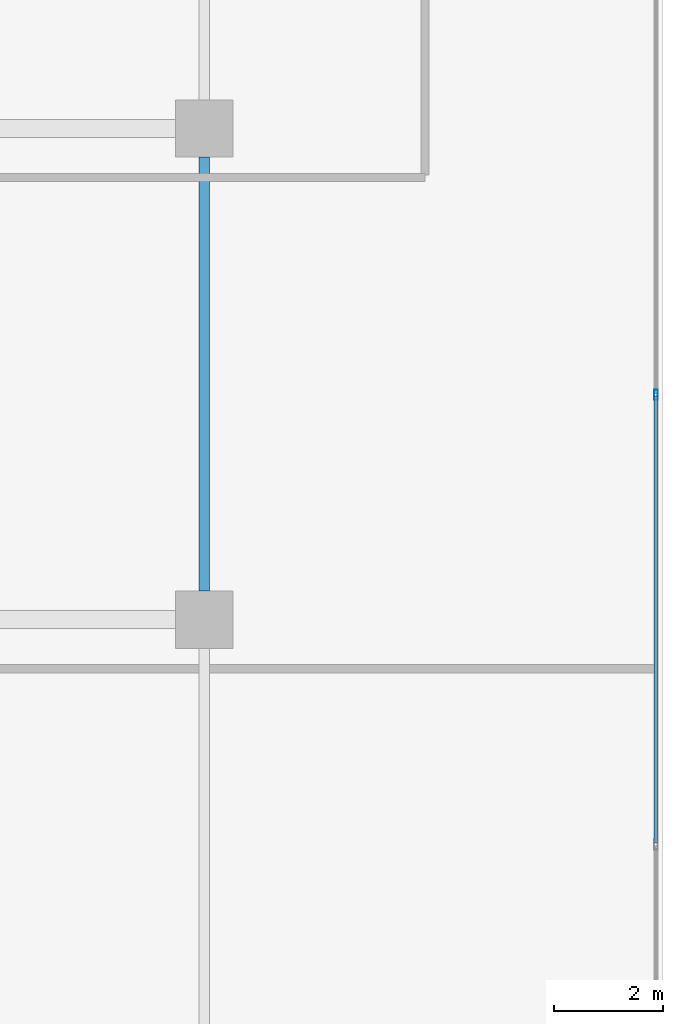
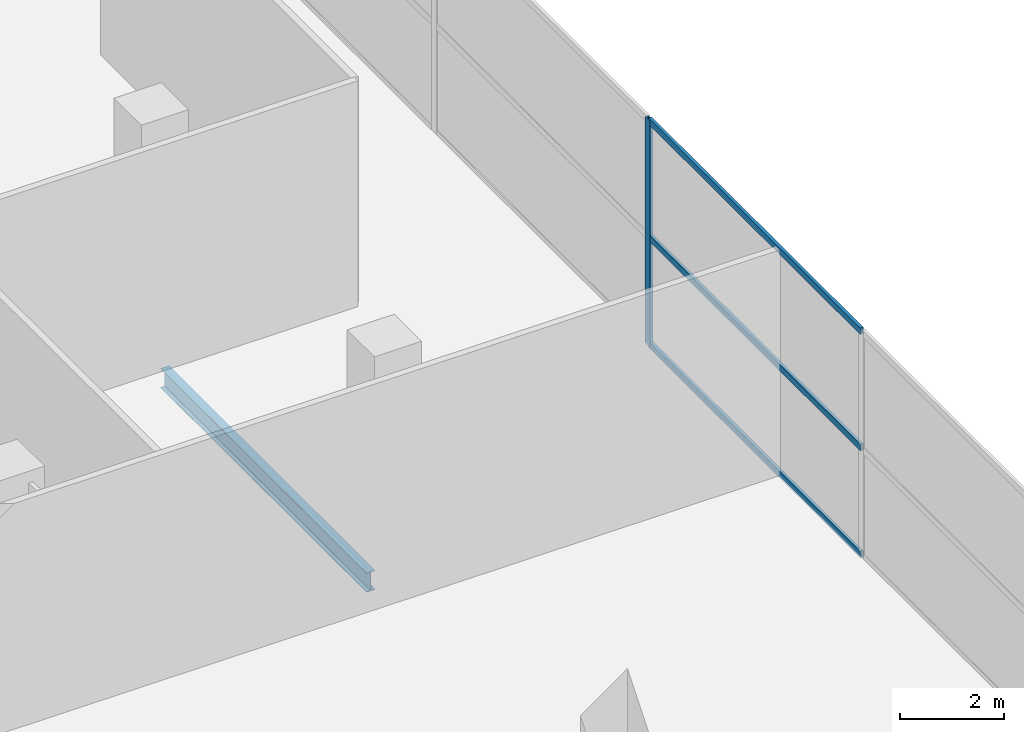
# One storey, part 27 of 40: 4 members, 1 beam, 1 element without a shape of its own.
"""IFC4 building model written with IfcOpenShell, lengths in metres."""

from ifc_helpers import new_model, si_unit, direction, frame, origin, origin_2d, place, context, subcontext, project, spatial, hollow_rectangle, i_section, extrude, material, layer, layer_set, material_profile, profile_set, type_object, element, aggregate, save


model = new_model("IFC4")

# Units and contexts
model_context = context("Model", 3, precision=1e-05, world=origin(), true_north=direction((0.0, 1.0)))
body_context = subcontext(model_context, "Body", "Model", "MODEL_VIEW")
ifc_project = project(units=[si_unit("LENGTHUNIT", "METRE"), si_unit("AREAUNIT", "SQUARE_METRE"), si_unit("VOLUMEUNIT", "CUBIC_METRE"), si_unit("PLANEANGLEUNIT", "RADIAN"), si_unit("MASSUNIT", "GRAM", prefix="KILO")], contexts=[model_context])

# Site, building, storey
site_placement = place(None, origin())
site = spatial("IfcSite", under=ifc_project, at=site_placement, CompositionType="ELEMENT")
building_placement = place(site_placement, origin())
building = spatial("IfcBuilding", under=site, at=building_placement, Name="Maruvema Waterfront Hotel and Observation Tower", CompositionType="ELEMENT")
storey_placement = place(building_placement, frame((0.0, 0.0, 10.85009765625)))
storey = spatial("IfcBuildingStorey", under=building, at=storey_placement, Name="L02", CompositionType="ELEMENT", Elevation=10.85009765625)

# Curtain wall, members
ifc_material_1 = material(Name="Anodised bronze aluminium and solar-control low-E IGU", Category="aluminium")
ifc_layer = layer(ifc_material_1, 0.159912109375, Name="Podium Waterfront Storefront Curtain Wall System CW-01")
ifc_layer_set = layer_set([ifc_layer], Name="Anodised bronze aluminium and solar-control low-E IGU")
curtain_wall_type = type_object("IfcCurtainWallType", Name="Podium Waterfront Storefront Curtain Wall System CW-01", PredefinedType="USERDEFINED", material=ifc_layer_set)
curtain_wall_placement = place(storey_placement, origin())
curtain_wall = element("IfcCurtainWall", 1, at=curtain_wall_placement, inside=storey, type_object=curtain_wall_type, Name="L02 Curtain Wall CW-L02-E", ObjectType="UNITISED CURTAIN WALL", PredefinedType="USERDEFINED")
ifc_material_2 = material(Name="Anodised architectural bronze aluminium", Category="aluminium")
ifc_material_profile_1 = material_profile(ifc_material_2, hollow_rectangle(XDim=0.070068359375, YDim=0.14990234375, WallThickness=0.00390625, at=origin_2d()), Name="ALU-T70x150")
ifc_profile_set_1 = profile_set([ifc_material_profile_1], Name="Anodised architectural bronze aluminium")
member_type_1 = type_object("IfcMemberType", Name="Curtain Wall Horizontal Transom ALU-T70x150", PredefinedType="USERDEFINED", material=ifc_profile_set_1)
member_1_placement = place(storey_placement, frame((75.47998046875, 22.909912109375, 0.02978515625), z_axis=(0.0, 1.0, 0.0), x_axis=(-1.0, 0.0, 0.0)))
member_1 = element("IfcMember", 2, at=member_1_placement, type_object=member_type_1, Name="CW-01 transom 3.1", ObjectType="TRANSOM", PredefinedType="USERDEFINED", context=body_context, shape_type="SweptSolid", body=[
    extrude(hollow_rectangle(XDim=0.070068359375, YDim=0.14990234375, WallThickness=0.00390625, at=origin_2d()), origin(), (0.0, 0.0, 1.0), 8.18017578125),
])
member_2_placement = place(storey_placement, frame((75.47998046875, 22.909912109375, 2.5498046875), z_axis=(0.0, 1.0, 0.0), x_axis=(-1.0, 0.0, 0.0)))
member_2 = element("IfcMember", 3, at=member_2_placement, type_object=member_type_1, Name="CW-01 transom 3.2", ObjectType="TRANSOM", PredefinedType="USERDEFINED", context=body_context, shape_type="SweptSolid", body=[
    extrude(hollow_rectangle(XDim=0.070068359375, YDim=0.14990234375, WallThickness=0.00390625, at=origin_2d()), origin(), (0.0, 0.0, 1.0), 8.18017578125),
])
member_3_placement = place(storey_placement, frame((75.47998046875, 22.909912109375, 5.289794921875), z_axis=(0.0, 1.0, 0.0), x_axis=(-1.0, 0.0, 0.0)))
member_3 = element("IfcMember", 4, at=member_3_placement, type_object=member_type_1, Name="CW-01 transom 3.3", ObjectType="TRANSOM", PredefinedType="USERDEFINED", context=body_context, shape_type="SweptSolid", body=[
    extrude(hollow_rectangle(XDim=0.070068359375, YDim=0.14990234375, WallThickness=0.00390625, at=origin_2d()), origin(), (0.0, 0.0, 1.0), 8.18017578125),
])

# Beam
ifc_material_3 = material(Name="Steel ASTM A572 Grade 50", Category="steel")
ifc_material_profile_2 = material_profile(ifc_material_3, i_section(OverallWidth=0.18994140625, OverallDepth=0.45703125, WebThickness=0.009033203125, FlangeThickness=0.014404296875, FilletRadius=0.014892578125, at=origin_2d()), Name="W460x74.0")
ifc_profile_set_2 = profile_set([ifc_material_profile_2], Name="Steel ASTM A572 Grade 50")
beam_type = type_object("IfcBeamType", Name="Perimeter Spandrel Beam W460x74.0", PredefinedType="SPANDREL", material=ifc_profile_set_2)
beam_placement = place(storey_placement, frame((67.199951171875, 27.52490234375, -0.508544921875), z_axis=(0.0, 1.0, 0.0), x_axis=(-1.0, 0.0, 0.0)))
element("IfcBeam", 5, at=beam_placement, inside=storey, type_object=beam_type, Name="L02 Floor Girder NS-32", PredefinedType="SPANDREL", context=body_context, shape_type="SweptSolid", body=[
    extrude(i_section(OverallWidth=0.18994140625, OverallDepth=0.45703125, WebThickness=0.009033203125, FlangeThickness=0.014404296875, FilletRadius=0.014892578125, at=origin_2d()), origin(), (0.0, 0.0, 1.0), 7.9501953125),
])

# Member
ifc_material_4 = material(Name="Anodised architectural bronze aluminium", Category="aluminium")
ifc_material_profile_3 = material_profile(ifc_material_4, hollow_rectangle(XDim=0.070068359375, YDim=0.18994140625, WallThickness=0.00390625, at=origin_2d()), Name="ALU-M70x190")
ifc_profile_set_3 = profile_set([ifc_material_profile_3], Name="Anodised architectural bronze aluminium")
member_type_2 = type_object("IfcMemberType", Name="Podium Storefront Heavy Mullion ALU-M70x190", PredefinedType="MULLION", material=ifc_profile_set_3)
member_4_placement = place(storey_placement, frame((75.47998046875, 31.1201171875, 0.0), z_axis=(0.0, 0.0, 1.0), x_axis=(-1.0, 0.0, 0.0)))
member_4 = element("IfcMember", 6, at=member_4_placement, type_object=member_type_2, Name="CW-01 mullion 4", PredefinedType="MULLION", context=body_context, shape_type="SweptSolid", body=[
    extrude(hollow_rectangle(XDim=0.070068359375, YDim=0.18994140625, WallThickness=0.00390625, at=origin_2d()), origin(), (0.0, 0.0, 1.0), 5.31982421875),
])

aggregate(curtain_wall, [member_4, member_1, member_2, member_3])

save(model, "model.ifc")
